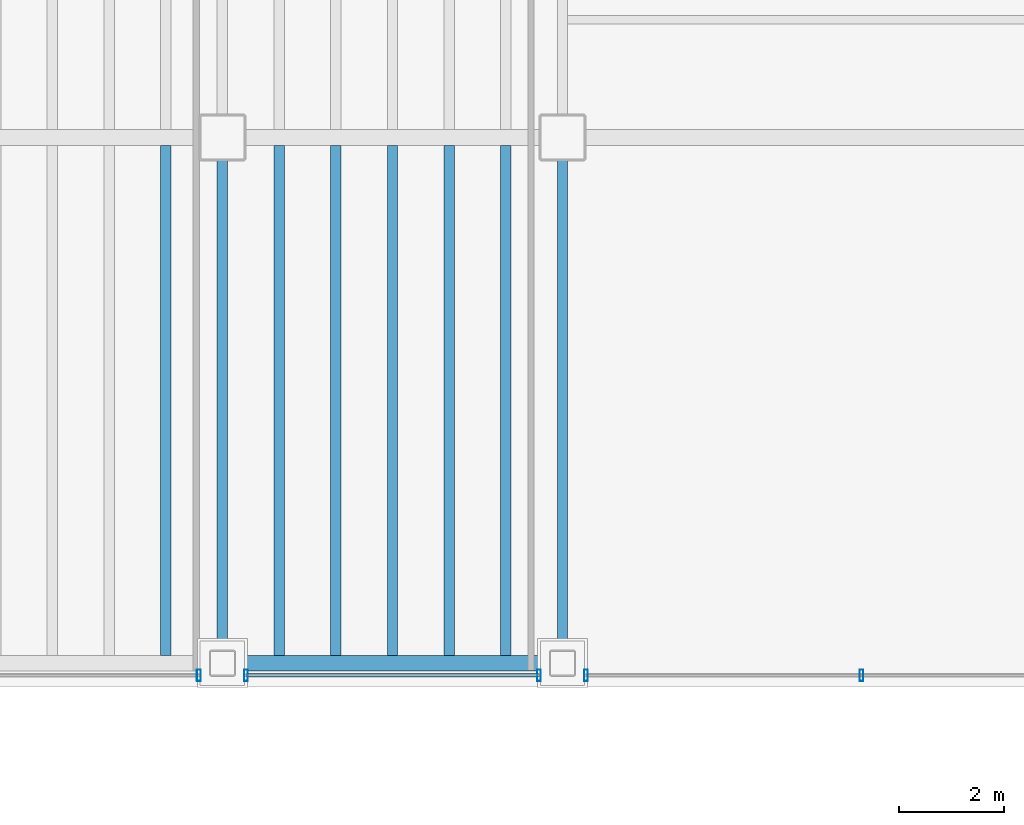
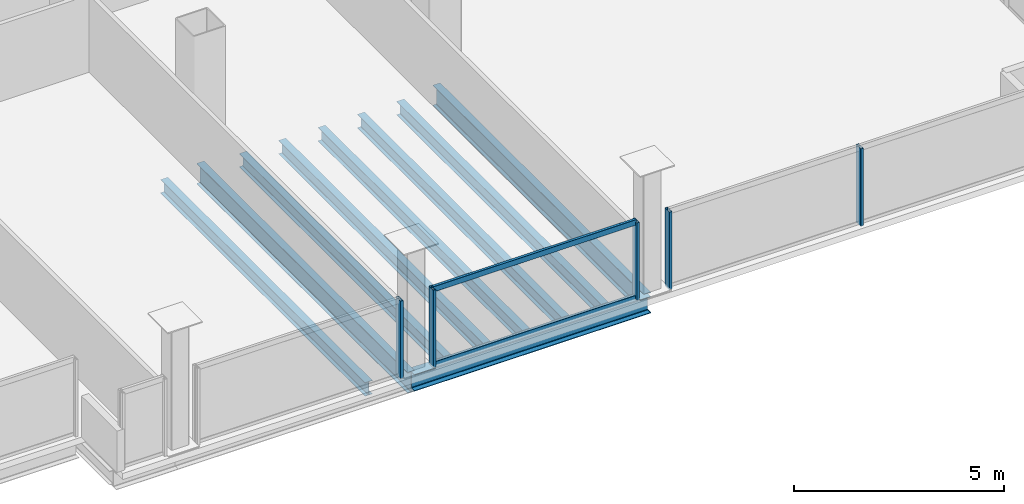
# One storey, part 9 of 21: 9 beams, 7 members, 3 elements without a shape of their own.
"""IFC4 building model written with IfcOpenShell, lengths in metres."""

from ifc_helpers import new_model, si_unit, direction, frame, origin, origin_2d, place, context, subcontext, project, spatial, hollow_rectangle, i_section, extrude, material, material_profile, profile_set, type_object, element, aggregate, save


model = new_model("IFC4")

# Units and contexts
model_context = context("Model", 3, precision=1e-05, world=origin(), true_north=direction((0.0, 1.0)))
body_context = subcontext(model_context, "Body", "Model", "MODEL_VIEW")
ifc_project = project(units=[si_unit("LENGTHUNIT", "METRE"), si_unit("AREAUNIT", "SQUARE_METRE"), si_unit("VOLUMEUNIT", "CUBIC_METRE"), si_unit("PLANEANGLEUNIT", "RADIAN"), si_unit("MASSUNIT", "GRAM", prefix="KILO")], contexts=[model_context])

# Site, building, storey
site_placement = place(None, origin())
site = spatial("IfcSite", under=ifc_project, at=site_placement, CompositionType="ELEMENT")
building_placement = place(site_placement, origin())
building = spatial("IfcBuilding", under=site, at=building_placement, Name="Noeulbin Bourse Tower", CompositionType="ELEMENT")
storey_placement = place(building_placement, frame((0.0, 0.0, 111.0)))
storey = spatial("IfcBuildingStorey", under=building, at=storey_placement, Name="L27", CompositionType="ELEMENT", Elevation=111.0)

# Beams
ifc_material_1 = material(Name="Steel S355", Category="steel")
ifc_material_profile_1 = material_profile(ifc_material_1, i_section(OverallWidth=0.199951171875, OverallDepth=0.60009765625, WebThickness=0.010986328125, FlangeThickness=0.01708984375, FilletRadius=0.02197265625, at=origin_2d()), Name="H-600x200x11x17", Category="LoadBearing")
ifc_profile_set_1 = profile_set([ifc_material_profile_1], Name="Steel S355")
beam_type_1 = type_object("IfcBeamType", Name="BM-GRD-600", PredefinedType="USERDEFINED", material=ifc_profile_set_1)
for number, where, z_axis, x_axis, name in (
    (1, (37.5, 9.949951171875, -0.47998046875), (0.0, 1.0, 0.0), (-1.0, 0.0, 0.0), "Tower Primary Girder NS L27-4.1"),
    (2, (44.0, 9.949951171875, -0.47998046875), (0.0, 1.0, 0.0), (-1.0, 0.0, 0.0), "Tower Primary Girder NS L27-5.1"),
):
    element("IfcBeam", number, at=place(storey_placement, frame(where, z_axis=z_axis, x_axis=x_axis)), inside=storey, type_object=beam_type_1, Name=name, ObjectType="GIRDER", PredefinedType="USERDEFINED", context=body_context, shape_type="SweptSolid", body=[
        extrude(i_section(OverallWidth=0.199951171875, OverallDepth=0.60009765625, WebThickness=0.010986328125, FlangeThickness=0.01708984375, FilletRadius=0.02197265625, at=origin_2d()), origin(), (0.0, 0.0, 1.0), 10.050048828125),
    ])
ifc_material_profile_2 = material_profile(ifc_material_1, i_section(OverallWidth=0.199951171875, OverallDepth=0.39990234375, WebThickness=0.008056640625, FlangeThickness=0.012939453125, FilletRadius=0.01611328125, at=origin_2d()), Name="H-400x200x8x13", Category="LoadBearing")
ifc_profile_set_2 = profile_set([ifc_material_profile_2], Name="Steel S355")
beam_type_2 = type_object("IfcBeamType", Name="BM-SEC-400", PredefinedType="BEAM", material=ifc_profile_set_2)
for number, where, z_axis, x_axis, name in (
    (3, (36.416748046875, 10.10009765625, -0.3798828125), (0.0, 1.0, 0.0), (-1.0, 0.0, 0.0), "Tower Composite Joist L27-52"),
    (4, (38.583251953125, 10.10009765625, -0.3798828125), (0.0, 1.0, 0.0), (-1.0, 0.0, 0.0), "Tower Composite Joist L27-55"),
    (5, (39.666748046875, 10.10009765625, -0.3798828125), (0.0, 1.0, 0.0), (-1.0, 0.0, 0.0), "Tower Composite Joist L27-58"),
    (6, (40.75, 10.10009765625, -0.3798828125), (0.0, 1.0, 0.0), (-1.0, 0.0, 0.0), "Tower Composite Joist L27-61"),
    (7, (41.833251953125, 10.10009765625, -0.3798828125), (0.0, 1.0, 0.0), (-1.0, 0.0, 0.0), "Tower Composite Joist L27-64"),
    (8, (42.916748046875, 10.10009765625, -0.3798828125), (0.0, 1.0, 0.0), (-1.0, 0.0, 0.0), "Tower Composite Joist L27-67"),
):
    element("IfcBeam", number, at=place(storey_placement, frame(where, z_axis=z_axis, x_axis=x_axis)), inside=storey, type_object=beam_type_2, Name=name, PredefinedType="BEAM", context=body_context, shape_type="SweptSolid", body=[
        extrude(i_section(OverallWidth=0.199951171875, OverallDepth=0.39990234375, WebThickness=0.008056640625, FlangeThickness=0.012939453125, FilletRadius=0.01611328125, at=origin_2d()), origin(), (0.0, 0.0, 1.0), 9.75),
    ])
ifc_material_profile_3 = material_profile(ifc_material_1, i_section(OverallWidth=0.300048828125, OverallDepth=0.488037109375, WebThickness=0.010986328125, FlangeThickness=0.01806640625, FilletRadius=0.02197265625, at=origin_2d()), Name="H-488x300x11x18", Category="LoadBearing")
ifc_profile_set_3 = profile_set([ifc_material_profile_3], Name="Steel S355")
beam_type_3 = type_object("IfcBeamType", Name="BM-SPN-488", PredefinedType="SPANDREL", material=ifc_profile_set_3)
beam_placement = place(storey_placement, frame((37.5, 9.949951171875, -0.424072265625), z_axis=(1.0, 0.0, 0.0), x_axis=(0.0, 1.0, 0.0)))
element("IfcBeam", 9, at=beam_placement, inside=storey, type_object=beam_type_3, Name="South Spandrel L27-4", PredefinedType="SPANDREL", context=body_context, shape_type="SweptSolid", body=[
    extrude(i_section(OverallWidth=0.300048828125, OverallDepth=0.488037109375, WebThickness=0.010986328125, FlangeThickness=0.01806640625, FilletRadius=0.02197265625, at=origin_2d()), origin(), (0.0, 0.0, 1.0), 6.5),
])

# Curtain wall, member
ifc_material_2 = material(Name="Dark Tinted Triple Glazing", Category="glass")
curtain_wall_type = type_object("IfcCurtainWallType", Name="CW-SYS-3", PredefinedType="NOTDEFINED", material=ifc_material_2)
curtain_wall_1_placement = place(storey_placement, origin())
curtain_wall_1 = element("IfcCurtainWall", 10, at=curtain_wall_1_placement, inside=storey, type_object=curtain_wall_type, Name="Unitised Curtain Wall CW-L27-S3-S2", PredefinedType="NOTDEFINED")
ifc_material_3 = material(Name="Anodised Aluminium 6063-T6", Category="aluminium")
ifc_material_profile_4 = material_profile(ifc_material_3, hollow_rectangle(XDim=0.074951171875, YDim=0.219970703125, WallThickness=0.0048828125, InnerFilletRadius=0.00244140625, OuterFilletRadius=0.0048828125, at=origin_2d()), Name="ALU-MULL-75x220x5", Category="LoadBearing")
ifc_profile_set_4 = profile_set([ifc_material_profile_4], Name="Anodised Aluminium 6063-T6")
member_type_1 = type_object("IfcMemberType", Name="CW-SYS-3-MUL", PredefinedType="MULLION", material=ifc_profile_set_4)
member_1_placement = place(storey_placement, frame((37.050048828125, 9.719970703125, -0.02001953125), z_axis=(0.0, 0.0, 1.0), x_axis=(1.0, 0.0, 0.0)))
member_1 = element("IfcMember", 11, at=member_1_placement, type_object=member_type_1, Name="Curtain Wall Mullion CW-L27-S3-S2-M01", PredefinedType="MULLION", context=body_context, shape_type="SweptSolid", body=[
    extrude(hollow_rectangle(XDim=0.074951171875, YDim=0.219970703125, WallThickness=0.0048828125, InnerFilletRadius=0.00244140625, OuterFilletRadius=0.0048828125, at=origin_2d()), origin(), (0.0, 0.0, 1.0), 2.260009765625),
])
aggregate(curtain_wall_1, [member_1])

# Curtain wall, members
curtain_wall_2_placement = place(storey_placement, origin())
curtain_wall_2 = element("IfcCurtainWall", 12, at=curtain_wall_2_placement, inside=storey, type_object=curtain_wall_type, Name="Unitised Curtain Wall CW-L27-S3-S3", PredefinedType="NOTDEFINED")
member_2_placement = place(storey_placement, frame((37.949951171875, 9.719970703125, -0.02001953125), z_axis=(0.0, 0.0, 1.0), x_axis=(1.0, 0.0, 0.0)))
member_2 = element("IfcMember", 13, at=member_2_placement, type_object=member_type_1, Name="Curtain Wall Mullion CW-L27-S3-S3-M00", PredefinedType="MULLION", context=body_context, shape_type="SweptSolid", body=[
    extrude(hollow_rectangle(XDim=0.074951171875, YDim=0.219970703125, WallThickness=0.0048828125, InnerFilletRadius=0.00244140625, OuterFilletRadius=0.0048828125, at=origin_2d()), origin(), (0.0, 0.0, 1.0), 2.260009765625),
])
member_3_placement = place(storey_placement, frame((43.550048828125, 9.719970703125, -0.02001953125), z_axis=(0.0, 0.0, 1.0), x_axis=(1.0, 0.0, 0.0)))
member_3 = element("IfcMember", 14, at=member_3_placement, type_object=member_type_1, Name="Curtain Wall Mullion CW-L27-S3-S3-M01", PredefinedType="MULLION", context=body_context, shape_type="SweptSolid", body=[
    extrude(hollow_rectangle(XDim=0.074951171875, YDim=0.219970703125, WallThickness=0.0048828125, InnerFilletRadius=0.00244140625, OuterFilletRadius=0.0048828125, at=origin_2d()), origin(), (0.0, 0.0, 1.0), 2.260009765625),
])

curtain_wall_3_placement = place(storey_placement, origin())
curtain_wall_3 = element("IfcCurtainWall", 15, at=curtain_wall_3_placement, inside=storey, type_object=curtain_wall_type, Name="Unitised Curtain Wall CW-L27-S3-S4", PredefinedType="NOTDEFINED")
member_4_placement = place(storey_placement, frame((44.449951171875, 9.719970703125, -0.02001953125), z_axis=(0.0, 0.0, 1.0), x_axis=(1.0, 0.0, 0.0)))
member_4 = element("IfcMember", 16, at=member_4_placement, type_object=member_type_1, Name="Curtain Wall Mullion CW-L27-S3-S4-M00", PredefinedType="MULLION", context=body_context, shape_type="SweptSolid", body=[
    extrude(hollow_rectangle(XDim=0.074951171875, YDim=0.219970703125, WallThickness=0.0048828125, InnerFilletRadius=0.00244140625, OuterFilletRadius=0.0048828125, at=origin_2d()), origin(), (0.0, 0.0, 1.0), 2.260009765625),
])
member_5_placement = place(storey_placement, frame((49.715087890625, 9.719970703125, -0.02001953125), z_axis=(0.0, 0.0, 1.0), x_axis=(1.0, 0.0, 0.0)))
member_5 = element("IfcMember", 17, at=member_5_placement, type_object=member_type_1, Name="Curtain Wall Mullion CW-L27-S3-S4-M01", PredefinedType="MULLION", context=body_context, shape_type="SweptSolid", body=[
    extrude(hollow_rectangle(XDim=0.074951171875, YDim=0.219970703125, WallThickness=0.0048828125, InnerFilletRadius=0.00244140625, OuterFilletRadius=0.0048828125, at=origin_2d()), origin(), (0.0, 0.0, 1.0), 2.260009765625),
])
aggregate(curtain_wall_3, [member_4, member_5])

# Member
ifc_material_profile_5 = material_profile(ifc_material_3, hollow_rectangle(XDim=0.074951171875, YDim=0.159912109375, WallThickness=0.0048828125, InnerFilletRadius=0.00244140625, OuterFilletRadius=0.0048828125, at=origin_2d()), Name="ALU-TRAN-75x160x5", Category="LoadBearing")
ifc_profile_set_5 = profile_set([ifc_material_profile_5], Name="Anodised Aluminium 6063-T6")
member_type_2 = type_object("IfcMemberType", Name="CW-SYS-3-TRN", PredefinedType="USERDEFINED", material=ifc_profile_set_5)
member_6_placement = place(storey_placement, frame((37.9599609375, 9.719970703125, 0.010009765625), z_axis=(1.0, 0.0, 0.0), x_axis=(0.0, 1.0, 0.0)))
member_6 = element("IfcMember", 18, at=member_6_placement, type_object=member_type_2, Name="Curtain Wall Transom CW-L27-S3-S3-T00", ObjectType="TRANSOM", PredefinedType="USERDEFINED", context=body_context, shape_type="SweptSolid", body=[
    extrude(hollow_rectangle(XDim=0.074951171875, YDim=0.159912109375, WallThickness=0.0048828125, InnerFilletRadius=0.00244140625, OuterFilletRadius=0.0048828125, at=origin_2d()), origin(), (0.0, 0.0, 1.0), 5.580078125),
])

member_7_placement = place(storey_placement, frame((37.9599609375, 9.719970703125, 2.2099609375), z_axis=(1.0, 0.0, 0.0), x_axis=(0.0, 1.0, 0.0)))
member_7 = element("IfcMember", 19, at=member_7_placement, type_object=member_type_2, Name="Curtain Wall Transom CW-L27-S3-S3-T01", ObjectType="TRANSOM", PredefinedType="USERDEFINED", context=body_context, shape_type="SweptSolid", body=[
    extrude(hollow_rectangle(XDim=0.074951171875, YDim=0.159912109375, WallThickness=0.0048828125, InnerFilletRadius=0.00244140625, OuterFilletRadius=0.0048828125, at=origin_2d()), origin(), (0.0, 0.0, 1.0), 5.580078125),
])

aggregate(curtain_wall_2, [member_2, member_3, member_6, member_7])

save(model, "model.ifc")
